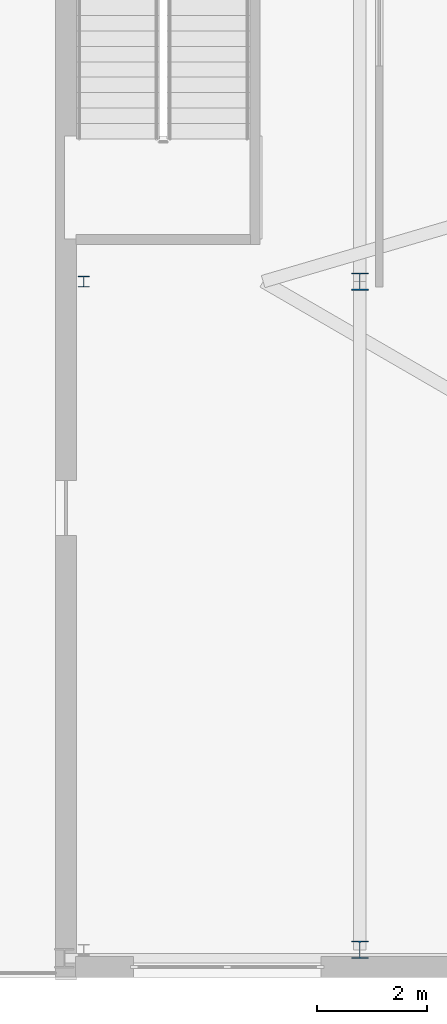
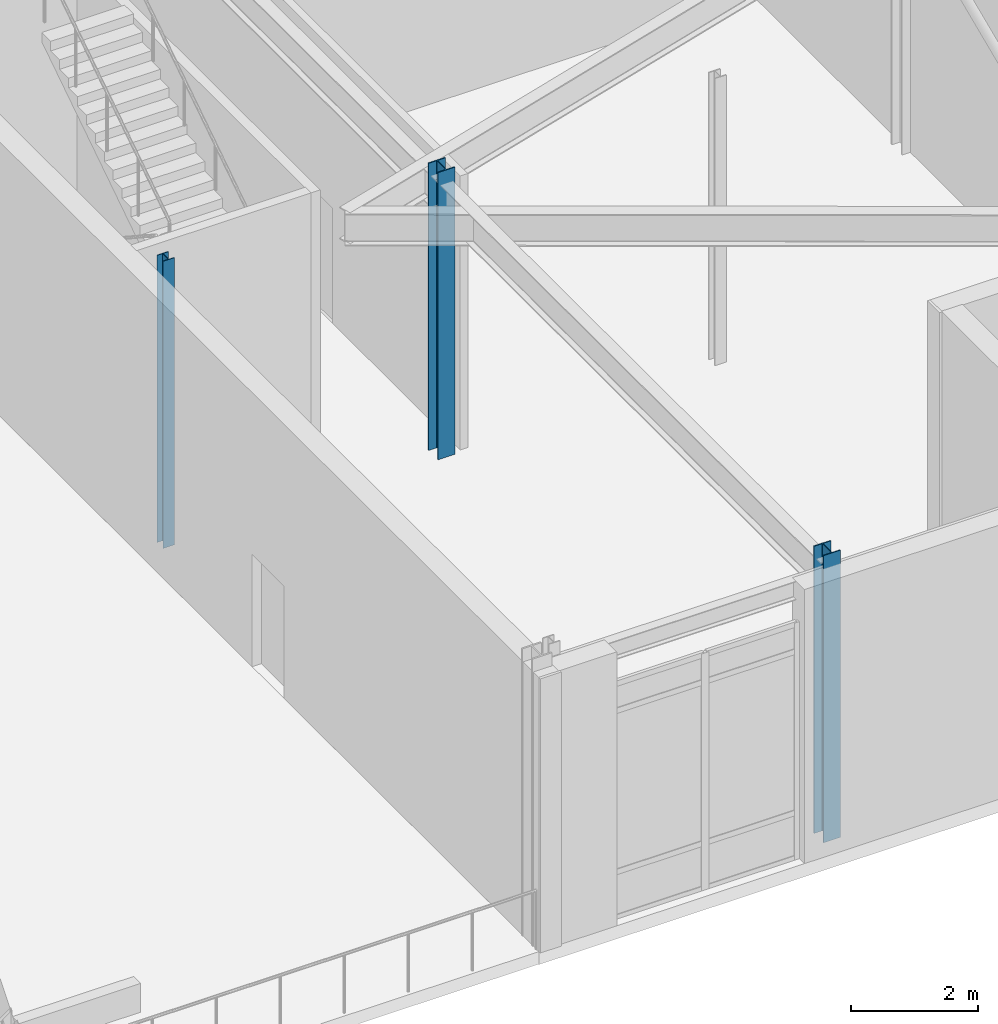
# One storey, part 2 of 16: 3 columns.
"""IFC4 building model written with IfcOpenShell, lengths in metres."""

import ifcopenshell
import ifcopenshell.guid

model = None  # the IFC model being written
_history = None  # IfcOwnerHistory: only IFC2X3 demands one
_inside = {}  # id of a spatial element -> (the spatial element, [elements in it])
_under = {}  # id of a project, library or spatial element -> (it, [spatial elements below it])
_declared = {}  # id of a project -> (the project, [libraries it declares])
_typed = {}  # id of a type object -> (the type object, [elements of that type])
_made_of = {}  # id of a material, layer set ... -> (it, [elements and type objects made of it])


def new_model(schema):
    """Start an empty IFC model of exactly this schema.

    Asked for "IFC4X3", IfcOpenShell would pick the latest addendum, in which some entities
    have other attributes; the version numbers below select the first issue.
    IFC2X3 requires an IfcOwnerHistory on every rooted entity: one is made here for all.
    """
    global model, _history
    if schema == "IFC4X3":
        model = ifcopenshell.file(schema_version=(4, 3, 0, 0))
    else:
        model = ifcopenshell.file(schema=schema)
    _inside.clear()
    _under.clear()
    _declared.clear()
    _typed.clear()
    _made_of.clear()
    _history = None
    if model.schema == "IFC2X3":
        org = make("IfcOrganization", Name="unknown")
        user = make(
            "IfcPersonAndOrganization",
            ThePerson=make("IfcPerson", FamilyName="unknown"),
            TheOrganization=org,
        )
        app = make(
            "IfcApplication",
            ApplicationDeveloper=org,
            Version="unknown",
            ApplicationFullName="unknown",
            ApplicationIdentifier="unknown",
        )
        _history = make(
            "IfcOwnerHistory",
            OwningUser=user,
            OwningApplication=app,
            ChangeAction="ADDED",
            CreationDate=0,
        )
    return model


def make(cls, **values):
    """One entity of the class cls with the attributes given. An attribute that is None is left unset."""
    return model.create_entity(
        cls, **{name: value for name, value in values.items() if value is not None}
    )


def rooted(cls, **values):
    """An entity with a GlobalId (a new one), such as an element, a storey or a relation."""
    return make(cls, GlobalId=ifcopenshell.guid.new(), OwnerHistory=_history, **values)


def si_unit(unit_type, name, prefix=None):
    """IfcSIUnit, for example si_unit("LENGTHUNIT", "METRE", prefix="MILLI")."""
    return make("IfcSIUnit", UnitType=unit_type, Prefix=prefix, Name=name)


def assignment(units):
    """IfcUnitAssignment: the units of a project."""
    return None if units is None else make("IfcUnitAssignment", Units=units)


def point(xyz):
    """IfcCartesianPoint."""
    return None if xyz is None else make("IfcCartesianPoint", Coordinates=xyz)


def direction(xyz):
    """IfcDirection."""
    return None if xyz is None else make("IfcDirection", DirectionRatios=xyz)


def frame(location, z_axis=None, x_axis=None):
    """IfcAxis2Placement3D, a coordinate frame: its origin and axes. An axis left out is left unset."""
    return make(
        "IfcAxis2Placement3D",
        Location=point(location),
        Axis=direction(z_axis),
        RefDirection=direction(x_axis),
    )


def frame_2d(location, x_axis=None):
    """IfcAxis2Placement2D, a coordinate frame in the plane: its origin and x axis."""
    return make(
        "IfcAxis2Placement2D", Location=point(location), RefDirection=direction(x_axis)
    )


def origin():
    """The frame at (0, 0, 0) with its axes left unset."""
    return frame((0.0, 0.0, 0.0))


def origin_2d():
    """The frame at (0, 0) in the plane with its x axis left unset."""
    return frame_2d((0.0, 0.0))


def place(relative_to, where):
    """IfcLocalPlacement: puts the frame where relative to a parent placement (None: the world)."""
    return make(
        "IfcLocalPlacement", PlacementRelTo=relative_to, RelativePlacement=where
    )


def context(
    kind, dimensions, precision=None, world=None, true_north=None, identifier=None
):
    """IfcGeometricRepresentationContext, for example the 3D "Model" context."""
    return make(
        "IfcGeometricRepresentationContext",
        ContextIdentifier=identifier,
        ContextType=kind,
        CoordinateSpaceDimension=dimensions,
        Precision=precision,
        WorldCoordinateSystem=world,
        TrueNorth=true_north,
    )


def subcontext(parent, identifier, kind, view, scale=None):
    """IfcGeometricRepresentationSubContext, for example "Body" below "Model"."""
    return make(
        "IfcGeometricRepresentationSubContext",
        ContextIdentifier=identifier,
        ContextType=kind,
        ParentContext=parent,
        TargetScale=scale,
        TargetView=view,
    )


def project(units=None, contexts=None):
    """IfcProject with its units and contexts."""
    return rooted(
        "IfcProject",
        Name="project",
        RepresentationContexts=contexts,
        UnitsInContext=assignment(units),
    )


def spatial(cls, under=None, at=None, **own):
    """A site, building, storey or space (cls), placed at a placement, below another one or the project."""
    s = rooted(cls, ObjectPlacement=at, **own)
    if under is not None:
        _under.setdefault(under.id(), (under, []))[1].append(s)
    return s


def profile(cls, at=None, kind="AREA", **sizes):
    """A parametric profile (cls). Its sizes go by their IFC names, for example OverallWidth=200.0."""
    return make(cls, ProfileType=kind, Position=at, **sizes)


def i_section(**sizes):
    """IfcIShapeProfileDef."""
    return profile("IfcIShapeProfileDef", **sizes)


def extrude(swept, where, along, depth):
    """IfcExtrudedAreaSolid: the profile swept, set in the frame where, extruded along a direction by depth."""
    return make(
        "IfcExtrudedAreaSolid",
        SweptArea=swept,
        Position=where,
        ExtrudedDirection=direction(along),
        Depth=depth,
    )


def shape(context_of_items, identifier, shape_type, items):
    """IfcShapeRepresentation: the items that make up one representation, for example the "Body"."""
    return make(
        "IfcShapeRepresentation",
        ContextOfItems=context_of_items,
        RepresentationIdentifier=identifier,
        RepresentationType=shape_type,
        Items=items,
    )


def material(Name=None, Category=None):
    """IfcMaterial."""
    return make("IfcMaterial", Name=Name, Category=Category)


def material_profile(
    of_material, cross_section, Name=None, Category=None, Priority=None
):
    """IfcMaterialProfile: a cross section and its material."""
    return make(
        "IfcMaterialProfile",
        Name=Name,
        Material=of_material,
        Profile=cross_section,
        Priority=Priority,
        Category=Category,
    )


def profile_set(profiles, Name=None, composite=None):
    """IfcMaterialProfileSet."""
    return make(
        "IfcMaterialProfileSet",
        Name=Name,
        MaterialProfiles=profiles,
        CompositeProfile=composite,
    )


def made_of(thing, what):
    """Note that an element or type object is made of a material, layer set ...; save() writes the relation."""
    if what is not None:
        _made_of.setdefault(what.id(), (what, []))[1].append(thing)
    return thing


def type_object(cls, material=None, **own):
    """A type object (cls), such as IfcWallType, which elements share."""
    return made_of(rooted(cls, **own), material)


def element(
    cls,
    number,
    at=None,
    inside=None,
    cuts=None,
    type_object=None,
    material=None,
    context=None,
    identifier="Body",
    shape_type=None,
    held_by="IfcProductDefinitionShape",
    body=None,
    shapes=None,
    **own,
):
    """One element of the class cls, such as IfcWall. Its Tag is "e" and its number.

    at: its placement. inside: the storey or other place that contains it. cuts: it is an
    opening in that element (IfcRelVoidsElement). A single representation is given by context,
    identifier, shape_type and body (its items); several are given by shapes. held_by: the class
    of the entity that holds the representations. save() writes the other relations.
    """
    e = rooted(cls, Tag="e%d" % number, ObjectPlacement=at, **own)
    if body is not None:
        shapes = [shape(context, identifier, shape_type, body)]
    if shapes is not None:
        e.Representation = make(held_by, Representations=shapes)
    if inside is not None:
        _inside.setdefault(inside.id(), (inside, []))[1].append(e)
    if cuts is not None:
        rooted(
            "IfcRelVoidsElement", RelatingBuildingElement=cuts, RelatedOpeningElement=e
        )
    if type_object is not None:
        _typed.setdefault(type_object.id(), (type_object, []))[1].append(e)
    return made_of(e, material)


def aggregate(whole, parts):
    """IfcRelAggregates: a whole, such as a stair, and the parts it consists of."""
    return rooted("IfcRelAggregates", RelatingObject=whole, RelatedObjects=parts)


def save(model, path):
    """Write the relations noted so far, then the file.

    IfcRelAggregates (storeys below a building ...), IfcRelContainedInSpatialStructure (elements
    in a storey), IfcRelDefinesByType, IfcRelAssociatesMaterial and IfcRelDeclares: one each for
    every whole, place, type object, material and project.
    """
    for whole, parts in _under.values():
        aggregate(whole, parts)
    for where, things in _inside.values():
        rooted(
            "IfcRelContainedInSpatialStructure",
            RelatedElements=things,
            RelatingStructure=where,
        )
    for kind, things in _typed.values():
        rooted("IfcRelDefinesByType", RelatedObjects=things, RelatingType=kind)
    for what, things in _made_of.values():
        rooted("IfcRelAssociatesMaterial", RelatedObjects=things, RelatingMaterial=what)
    for by, libraries in _declared.values():
        rooted("IfcRelDeclares", RelatingContext=by, RelatedDefinitions=libraries)
    model.write(path)


model = new_model("IFC4")

# Units and contexts
model_context = context("Model", 3, precision=1e-05, world=origin(), true_north=direction((0.0, 1.0)))
body_context = subcontext(model_context, "Body", "Model", "MODEL_VIEW")
ifc_project = project(units=[si_unit("LENGTHUNIT", "METRE"), si_unit("AREAUNIT", "SQUARE_METRE"), si_unit("VOLUMEUNIT", "CUBIC_METRE"), si_unit("PLANEANGLEUNIT", "RADIAN"), si_unit("MASSUNIT", "GRAM", prefix="KILO")], contexts=[model_context])

# Site, building, storey
site_placement = place(None, origin())
site = spatial("IfcSite", under=ifc_project, at=site_placement, CompositionType="ELEMENT")
building_placement = place(site_placement, origin())
building = spatial("IfcBuilding", under=site, at=building_placement, Name="Cairnveth Concourse Tower", CompositionType="ELEMENT")
storey_placement = place(building_placement, frame((0.0, 0.0, 324.5)))
storey = spatial("IfcBuildingStorey", under=building, at=storey_placement, Name="L89", CompositionType="ELEMENT", Elevation=324.5)

# Columns
ifc_material = material(Name="Steel Grade 350", Category="steel")
ifc_material_profile_1 = material_profile(ifc_material, i_section(OverallWidth=0.202880859375, OverallDepth=0.202880859375, WebThickness=0.00927734375, FlangeThickness=0.01416015625, FilletRadius=0.010009765625, at=origin_2d()), Name="200UC59.5")
ifc_profile_set_1 = profile_set([ifc_material_profile_1], Name="Steel Grade 350")
column_type_1 = type_object("IfcColumnType", Name="PILASTER STEEL COLUMN 200UC59.5", PredefinedType="PILASTER", material=ifc_profile_set_1)
column_placement = place(storey_placement, frame((57.14990234375, 30.60009765625, 0.0), z_axis=(0.0, 0.0, 1.0), x_axis=(1.0, 0.0, 0.0)))
element("IfcColumn", 1, at=column_placement, inside=storey, type_object=column_type_1, Name="Column CRL-E2 L89", PredefinedType="PILASTER", context=body_context, shape_type="SweptSolid", body=[
    extrude(i_section(OverallWidth=0.202880859375, OverallDepth=0.202880859375, WebThickness=0.00927734375, FlangeThickness=0.01416015625, FilletRadius=0.010009765625, at=origin_2d()), origin(), (0.0, 0.0, 1.0), 5.5),
])
ifc_material_profile_2 = material_profile(ifc_material, i_section(OverallWidth=0.306884765625, OverallDepth=0.31494140625, WebThickness=0.011962890625, FlangeThickness=0.018798828125, FilletRadius=0.01611328125, at=origin_2d()), Name="310UC118")
ifc_profile_set_2 = profile_set([ifc_material_profile_2], Name="Steel Grade 350")
column_type_2 = type_object("IfcColumnType", Name="UNIVERSAL STEEL COLUMN 310UC118", PredefinedType="COLUMN", material=ifc_profile_set_2)
for number, where, z_axis, x_axis, name in (
    (2, (62.14990234375, 18.5, 0.0), (0.0, 0.0, 1.0), (1.0, 0.0, 0.0), "Column CRM-E1 L89"),
    (3, (62.14990234375, 30.60009765625, 0.0), (0.0, 0.0, 1.0), (1.0, 0.0, 0.0), "Column CRM-E2 L89"),
):
    element("IfcColumn", number, at=place(storey_placement, frame(where, z_axis=z_axis, x_axis=x_axis)), inside=storey, type_object=column_type_2, Name=name, PredefinedType="COLUMN", context=body_context, shape_type="SweptSolid", body=[
        extrude(i_section(OverallWidth=0.306884765625, OverallDepth=0.31494140625, WebThickness=0.011962890625, FlangeThickness=0.018798828125, FilletRadius=0.01611328125, at=origin_2d()), origin(), (0.0, 0.0, 1.0), 5.5),
    ])

save(model, "model.ifc")
